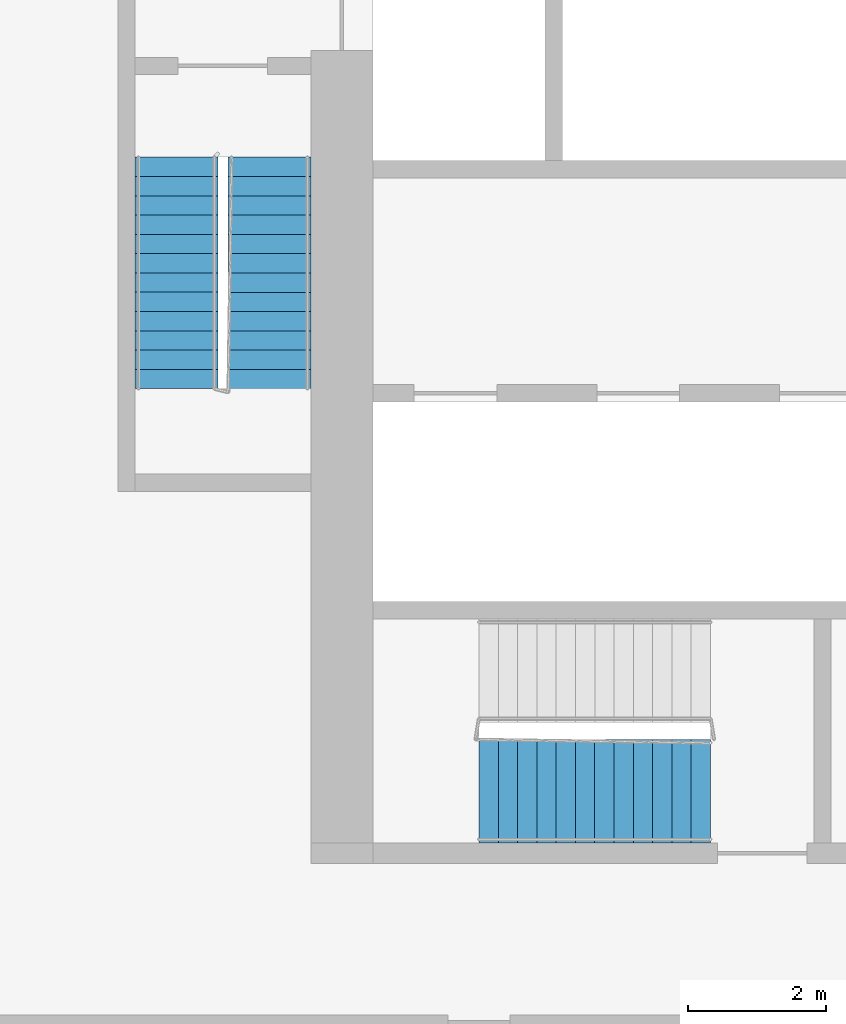
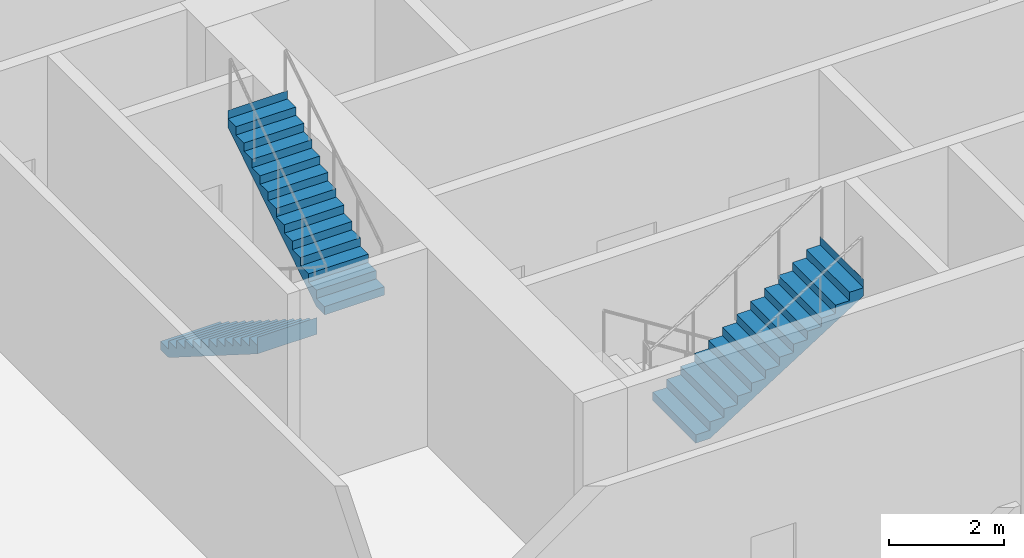
# One storey, part 17 of 22: 3 stair flights, 2 elements without a shape of their own.
"""IFC4 building model written with IfcOpenShell, lengths in metres."""

from ifc_helpers import new_model, si_unit, direction, frame, origin, place, context, subcontext, project, spatial, faceted_brep, material, type_object, element, aggregate, save


model = new_model("IFC4")

# Units and contexts
model_context = context("Model", 3, precision=1e-05, world=origin(), true_north=direction((0.0, 1.0)))
body_context = subcontext(model_context, "Body", "Model", "MODEL_VIEW")
ifc_project = project(units=[si_unit("LENGTHUNIT", "METRE"), si_unit("AREAUNIT", "SQUARE_METRE"), si_unit("VOLUMEUNIT", "CUBIC_METRE"), si_unit("PLANEANGLEUNIT", "RADIAN"), si_unit("MASSUNIT", "GRAM", prefix="KILO")], contexts=[model_context])

# Site, building, storey
site_placement = place(None, origin())
site = spatial("IfcSite", under=ifc_project, at=site_placement, CompositionType="ELEMENT")
building_placement = place(site_placement, origin())
building = spatial("IfcBuilding", under=site, at=building_placement, Name="Kajstack Hotel Tower", CompositionType="ELEMENT")
storey_placement = place(building_placement, frame((0.0, 0.0, 99.60009765625)))
storey = spatial("IfcBuildingStorey", under=building, at=storey_placement, Name="L21", CompositionType="ELEMENT", Elevation=99.60009765625)

# Stair, stair flights
ifc_material = material(Name="Concrete C40/50", Category="concrete")
stair_type_1 = type_object("IfcStairType", Name="Exit stair 1200", PredefinedType="HALF_TURN_STAIR", material=ifc_material)
stair_1_placement = place(storey_placement, origin())
stair_1 = element("IfcStair", 1, at=stair_1_placement, inside=storey, type_object=stair_type_1, Name="L21 stair W1", PredefinedType="HALF_TURN_STAIR")
stair_flight_type_1 = type_object("IfcStairFlightType", Name="Exit stair flight 1200", PredefinedType="STRAIGHT", material=ifc_material)
stair_flight_1_placement = place(storey_placement, frame((-33.449951171875, -5.25, 0.0), z_axis=(0.0, 0.0, 1.0), x_axis=(0.0, -1.0, 0.0)))
stair_flight_1 = element("IfcStairFlight", 2, at=stair_flight_1_placement, type_object=stair_flight_type_1, Name="W1 flight 1", NumberOfRisers=13, NumberOfTreads=12, PredefinedType="STRAIGHT", RiserHeight=0.176923077, TreadLength=0.28, context=body_context, shape_type="Brep", body=[
    faceted_brep([(0.281005859375, -0.60009765625, 0.0), (3.360595703125, -0.60009765625, 1.94580078125), (3.360595703125, -0.60009765625, 2.300048828125), (3.360107421875, -0.60009765625, 2.300048828125), (3.360107421875, -0.60009765625, 2.123046875), (3.080078125, -0.60009765625, 2.123046875), (3.080078125, -0.60009765625, 1.946044921875), (2.800048828125, -0.60009765625, 1.946044921875), (2.800048828125, -0.60009765625, 1.769287109375), (2.52001953125, -0.60009765625, 1.769287109375), (2.52001953125, -0.60009765625, 1.59228515625), (2.239990234375, -0.60009765625, 1.59228515625), (2.239990234375, -0.60009765625, 1.415283203125), (1.9599609375, -0.60009765625, 1.415283203125), (1.9599609375, -0.60009765625, 1.238525390625), (1.679931640625, -0.60009765625, 1.238525390625), (1.679931640625, -0.60009765625, 1.0615234375), (1.39990234375, -0.60009765625, 1.0615234375), (1.39990234375, -0.60009765625, 0.884521484375), (1.1201171875, -0.60009765625, 0.884521484375), (1.1201171875, -0.60009765625, 0.707763671875), (0.840087890625, -0.60009765625, 0.707763671875), (0.840087890625, -0.60009765625, 0.53076171875), (0.56005859375, -0.60009765625, 0.53076171875), (0.56005859375, -0.60009765625, 0.353759765625), (0.280029296875, -0.60009765625, 0.353759765625), (0.280029296875, -0.60009765625, 0.177001953125), (-0.00048828125, -0.60009765625, 0.177001953125), (-0.00048828125, -0.60009765625, 0.0), (-0.00048828125, 0.60009765625, 0.0), (-0.00048828125, 0.60009765625, 0.177001953125), (0.280029296875, 0.60009765625, 0.177001953125), (0.280029296875, 0.60009765625, 0.353759765625), (0.56005859375, 0.60009765625, 0.353759765625), (0.56005859375, 0.60009765625, 0.53076171875), (0.840087890625, 0.60009765625, 0.53076171875), (0.840087890625, 0.60009765625, 0.707763671875), (1.1201171875, 0.60009765625, 0.707763671875), (1.1201171875, 0.60009765625, 0.884521484375), (1.39990234375, 0.60009765625, 0.884521484375), (1.39990234375, 0.60009765625, 1.0615234375), (1.679931640625, 0.60009765625, 1.0615234375), (1.679931640625, 0.60009765625, 1.238525390625), (1.9599609375, 0.60009765625, 1.238525390625), (1.9599609375, 0.60009765625, 1.415283203125), (2.239990234375, 0.60009765625, 1.415283203125), (2.239990234375, 0.60009765625, 1.59228515625), (2.52001953125, 0.60009765625, 1.59228515625), (2.52001953125, 0.60009765625, 1.769287109375), (2.800048828125, 0.60009765625, 1.769287109375), (2.800048828125, 0.60009765625, 1.946044921875), (3.080078125, 0.60009765625, 1.946044921875), (3.080078125, 0.60009765625, 2.123046875), (3.360107421875, 0.60009765625, 2.123046875), (3.360107421875, 0.60009765625, 2.300048828125), (3.360595703125, 0.60009765625, 2.300048828125), (3.360595703125, 0.60009765625, 1.94580078125), (0.281005859375, 0.60009765625, 0.0), (-0.00048828125, -0.300048828125, 0.177001953125), (-0.00048828125, 0.0, 0.177001953125), (-0.00048828125, 0.300048828125, 0.177001953125), (-0.00048828125, 0.300048828125, 0.0), (-0.00048828125, 0.0, 0.0), (-0.00048828125, -0.300048828125, 0.0), (0.280029296875, -0.300048828125, 0.177001953125), (0.280029296875, 0.0, 0.177001953125), (0.280029296875, 0.300048828125, 0.177001953125), (0.280029296875, -0.300048828125, 0.353759765625), (0.280029296875, 0.0, 0.353759765625), (0.280029296875, 0.300048828125, 0.353759765625), (0.56005859375, -0.300048828125, 0.353759765625), (0.56005859375, 0.0, 0.353759765625), (0.56005859375, 0.300048828125, 0.353759765625), (0.56005859375, -0.300048828125, 0.53076171875), (0.56005859375, 0.0, 0.53076171875), (0.56005859375, 0.300048828125, 0.53076171875), (0.840087890625, -0.300048828125, 0.53076171875), (0.840087890625, 0.0, 0.53076171875), (0.840087890625, 0.300048828125, 0.53076171875), (0.840087890625, -0.300048828125, 0.707763671875), (0.840087890625, 0.0, 0.707763671875), (0.840087890625, 0.300048828125, 0.707763671875), (1.1201171875, -0.300048828125, 0.707763671875), (1.1201171875, 0.0, 0.707763671875), (1.1201171875, 0.300048828125, 0.707763671875), (1.1201171875, -0.300048828125, 0.884521484375), (1.1201171875, 0.0, 0.884521484375), (1.1201171875, 0.300048828125, 0.884521484375), (1.39990234375, -0.300048828125, 0.884521484375), (1.39990234375, 0.0, 0.884521484375), (1.39990234375, 0.300048828125, 0.884521484375), (1.39990234375, -0.300048828125, 1.0615234375), (1.39990234375, 0.0, 1.0615234375), (1.39990234375, 0.300048828125, 1.0615234375), (1.679931640625, -0.300048828125, 1.0615234375), (1.679931640625, 0.0, 1.0615234375), (1.679931640625, 0.300048828125, 1.0615234375), (1.679931640625, -0.300048828125, 1.238525390625), (1.679931640625, 0.0, 1.238525390625), (1.679931640625, 0.300048828125, 1.238525390625), (1.9599609375, -0.300048828125, 1.238525390625), (1.9599609375, 0.0, 1.238525390625), (1.9599609375, 0.300048828125, 1.238525390625), (1.9599609375, -0.300048828125, 1.415283203125), (1.9599609375, 0.0, 1.415283203125), (1.9599609375, 0.300048828125, 1.415283203125), (2.239990234375, -0.300048828125, 1.415283203125), (2.239990234375, 0.0, 1.415283203125), (2.239990234375, 0.300048828125, 1.415283203125), (2.239990234375, -0.300048828125, 1.59228515625), (2.239990234375, 0.0, 1.59228515625), (2.239990234375, 0.300048828125, 1.59228515625), (2.52001953125, -0.300048828125, 1.59228515625), (2.52001953125, 0.0, 1.59228515625), (2.52001953125, 0.300048828125, 1.59228515625), (2.52001953125, -0.300048828125, 1.769287109375), (2.52001953125, 0.0, 1.769287109375), (2.52001953125, 0.300048828125, 1.769287109375), (2.800048828125, -0.300048828125, 1.769287109375), (2.800048828125, 0.0, 1.769287109375), (2.800048828125, 0.300048828125, 1.769287109375), (2.800048828125, -0.300048828125, 1.946044921875), (2.800048828125, 0.0, 1.946044921875), (2.800048828125, 0.300048828125, 1.946044921875), (3.080078125, -0.300048828125, 1.946044921875), (3.080078125, 0.0, 1.946044921875), (3.080078125, 0.300048828125, 1.946044921875), (3.080078125, -0.300048828125, 2.123046875), (3.080078125, 0.0, 2.123046875), (3.080078125, 0.300048828125, 2.123046875), (3.360107421875, -0.300048828125, 2.123046875), (3.360107421875, 0.0, 2.123046875), (3.360107421875, 0.300048828125, 2.123046875), (3.360107421875, -0.300048828125, 2.300048828125), (3.360107421875, 0.0, 2.300048828125), (3.360107421875, 0.300048828125, 2.300048828125), (3.360595703125, -0.300048828125, 2.300048828125), (3.360595703125, 0.0, 2.300048828125), (3.360595703125, 0.300048828125, 2.300048828125), (3.360595703125, -0.300048828125, 1.94580078125), (3.360595703125, 0.0, 1.94580078125), (3.360595703125, 0.300048828125, 1.94580078125), (0.281005859375, -0.300048828125, 0.0), (0.281005859375, 0.0, 0.0), (0.281005859375, 0.300048828125, 0.0)], [[[0, 1, 2, 3, 4, 5, 6, 7, 8, 9, 10, 11, 12, 13, 14, 15, 16, 17, 18, 19, 20, 21, 22, 23, 24, 25, 26, 27, 28]], [[29, 30, 31, 32, 33, 34, 35, 36, 37, 38, 39, 40, 41, 42, 43, 44, 45, 46, 47, 48, 49, 50, 51, 52, 53, 54, 55, 56, 57]], [[27, 58, 59, 60, 30, 29, 61, 62, 63, 28]], [[26, 64, 65, 66, 31, 30, 60, 59, 58, 27]], [[25, 67, 68, 69, 32, 31, 66, 65, 64, 26]], [[24, 70, 71, 72, 33, 32, 69, 68, 67, 25]], [[23, 73, 74, 75, 34, 33, 72, 71, 70, 24]], [[22, 76, 77, 78, 35, 34, 75, 74, 73, 23]], [[21, 79, 80, 81, 36, 35, 78, 77, 76, 22]], [[20, 82, 83, 84, 37, 36, 81, 80, 79, 21]], [[19, 85, 86, 87, 38, 37, 84, 83, 82, 20]], [[18, 88, 89, 90, 39, 38, 87, 86, 85, 19]], [[17, 91, 92, 93, 40, 39, 90, 89, 88, 18]], [[16, 94, 95, 96, 41, 40, 93, 92, 91, 17]], [[15, 97, 98, 99, 42, 41, 96, 95, 94, 16]], [[14, 100, 101, 102, 43, 42, 99, 98, 97, 15]], [[13, 103, 104, 105, 44, 43, 102, 101, 100, 14]], [[12, 106, 107, 108, 45, 44, 105, 104, 103, 13]], [[11, 109, 110, 111, 46, 45, 108, 107, 106, 12]], [[10, 112, 113, 114, 47, 46, 111, 110, 109, 11]], [[9, 115, 116, 117, 48, 47, 114, 113, 112, 10]], [[8, 118, 119, 120, 49, 48, 117, 116, 115, 9]], [[7, 121, 122, 123, 50, 49, 120, 119, 118, 8]], [[6, 124, 125, 126, 51, 50, 123, 122, 121, 7]], [[5, 127, 128, 129, 52, 51, 126, 125, 124, 6]], [[4, 130, 131, 132, 53, 52, 129, 128, 127, 5]], [[3, 133, 134, 135, 54, 53, 132, 131, 130, 4]], [[2, 136, 137, 138, 55, 54, 135, 134, 133, 3]], [[1, 139, 140, 141, 56, 55, 138, 137, 136, 2]], [[0, 142, 143, 144, 57, 56, 141, 140, 139, 1]], [[28, 63, 62, 61, 29, 57, 144, 143, 142, 0]]]),
])
stair_flight_2_placement = place(storey_placement, frame((-32.10009765625, -8.610107421875, 2.2998046875), z_axis=(0.0, 0.0, 1.0), x_axis=(0.0, 1.0, 0.0)))
stair_flight_2 = element("IfcStairFlight", 3, at=stair_flight_2_placement, type_object=stair_flight_type_1, Name="W1 flight 2", NumberOfRisers=13, NumberOfTreads=12, PredefinedType="STRAIGHT", RiserHeight=0.176923077, TreadLength=0.28, context=body_context, shape_type="Brep", body=[
    faceted_brep([(0.281005859375, -0.60009765625, 0.0), (3.360595703125, -0.60009765625, 1.94580078125), (3.360595703125, -0.60009765625, 2.300048828125), (3.360107421875, -0.60009765625, 2.300048828125), (3.360107421875, -0.60009765625, 2.123046875), (3.080078125, -0.60009765625, 2.123046875), (3.080078125, -0.60009765625, 1.946044921875), (2.800048828125, -0.60009765625, 1.946044921875), (2.800048828125, -0.60009765625, 1.769287109375), (2.52001953125, -0.60009765625, 1.769287109375), (2.52001953125, -0.60009765625, 1.59228515625), (2.239990234375, -0.60009765625, 1.59228515625), (2.239990234375, -0.60009765625, 1.415283203125), (1.9599609375, -0.60009765625, 1.415283203125), (1.9599609375, -0.60009765625, 1.238525390625), (1.679931640625, -0.60009765625, 1.238525390625), (1.679931640625, -0.60009765625, 1.0615234375), (1.39990234375, -0.60009765625, 1.0615234375), (1.39990234375, -0.60009765625, 0.884521484375), (1.1201171875, -0.60009765625, 0.884521484375), (1.1201171875, -0.60009765625, 0.707763671875), (0.840087890625, -0.60009765625, 0.707763671875), (0.840087890625, -0.60009765625, 0.53076171875), (0.56005859375, -0.60009765625, 0.53076171875), (0.56005859375, -0.60009765625, 0.353759765625), (0.280029296875, -0.60009765625, 0.353759765625), (0.280029296875, -0.60009765625, 0.177001953125), (-0.00048828125, -0.60009765625, 0.177001953125), (-0.00048828125, -0.60009765625, 0.0), (-0.00048828125, 0.60009765625, 0.0), (-0.00048828125, 0.60009765625, 0.177001953125), (0.280029296875, 0.60009765625, 0.177001953125), (0.280029296875, 0.60009765625, 0.353759765625), (0.56005859375, 0.60009765625, 0.353759765625), (0.56005859375, 0.60009765625, 0.53076171875), (0.840087890625, 0.60009765625, 0.53076171875), (0.840087890625, 0.60009765625, 0.707763671875), (1.1201171875, 0.60009765625, 0.707763671875), (1.1201171875, 0.60009765625, 0.884521484375), (1.39990234375, 0.60009765625, 0.884521484375), (1.39990234375, 0.60009765625, 1.0615234375), (1.679931640625, 0.60009765625, 1.0615234375), (1.679931640625, 0.60009765625, 1.238525390625), (1.9599609375, 0.60009765625, 1.238525390625), (1.9599609375, 0.60009765625, 1.415283203125), (2.239990234375, 0.60009765625, 1.415283203125), (2.239990234375, 0.60009765625, 1.59228515625), (2.52001953125, 0.60009765625, 1.59228515625), (2.52001953125, 0.60009765625, 1.769287109375), (2.800048828125, 0.60009765625, 1.769287109375), (2.800048828125, 0.60009765625, 1.946044921875), (3.080078125, 0.60009765625, 1.946044921875), (3.080078125, 0.60009765625, 2.123046875), (3.360107421875, 0.60009765625, 2.123046875), (3.360107421875, 0.60009765625, 2.300048828125), (3.360595703125, 0.60009765625, 2.300048828125), (3.360595703125, 0.60009765625, 1.94580078125), (0.281005859375, 0.60009765625, 0.0), (-0.00048828125, -0.300048828125, 0.177001953125), (-0.00048828125, 0.0, 0.177001953125), (-0.00048828125, 0.300048828125, 0.177001953125), (-0.00048828125, 0.300048828125, 0.0), (-0.00048828125, 0.0, 0.0), (-0.00048828125, -0.300048828125, 0.0), (0.280029296875, -0.300048828125, 0.177001953125), (0.280029296875, 0.0, 0.177001953125), (0.280029296875, 0.300048828125, 0.177001953125), (0.280029296875, -0.300048828125, 0.353759765625), (0.280029296875, 0.0, 0.353759765625), (0.280029296875, 0.300048828125, 0.353759765625), (0.56005859375, -0.300048828125, 0.353759765625), (0.56005859375, 0.0, 0.353759765625), (0.56005859375, 0.300048828125, 0.353759765625), (0.56005859375, -0.300048828125, 0.53076171875), (0.56005859375, 0.0, 0.53076171875), (0.56005859375, 0.300048828125, 0.53076171875), (0.840087890625, -0.300048828125, 0.53076171875), (0.840087890625, 0.0, 0.53076171875), (0.840087890625, 0.300048828125, 0.53076171875), (0.840087890625, -0.300048828125, 0.707763671875), (0.840087890625, 0.0, 0.707763671875), (0.840087890625, 0.300048828125, 0.707763671875), (1.1201171875, -0.300048828125, 0.707763671875), (1.1201171875, 0.0, 0.707763671875), (1.1201171875, 0.300048828125, 0.707763671875), (1.1201171875, -0.300048828125, 0.884521484375), (1.1201171875, 0.0, 0.884521484375), (1.1201171875, 0.300048828125, 0.884521484375), (1.39990234375, -0.300048828125, 0.884521484375), (1.39990234375, 0.0, 0.884521484375), (1.39990234375, 0.300048828125, 0.884521484375), (1.39990234375, -0.300048828125, 1.0615234375), (1.39990234375, 0.0, 1.0615234375), (1.39990234375, 0.300048828125, 1.0615234375), (1.679931640625, -0.300048828125, 1.0615234375), (1.679931640625, 0.0, 1.0615234375), (1.679931640625, 0.300048828125, 1.0615234375), (1.679931640625, -0.300048828125, 1.238525390625), (1.679931640625, 0.0, 1.238525390625), (1.679931640625, 0.300048828125, 1.238525390625), (1.9599609375, -0.300048828125, 1.238525390625), (1.9599609375, 0.0, 1.238525390625), (1.9599609375, 0.300048828125, 1.238525390625), (1.9599609375, -0.300048828125, 1.415283203125), (1.9599609375, 0.0, 1.415283203125), (1.9599609375, 0.300048828125, 1.415283203125), (2.239990234375, -0.300048828125, 1.415283203125), (2.239990234375, 0.0, 1.415283203125), (2.239990234375, 0.300048828125, 1.415283203125), (2.239990234375, -0.300048828125, 1.59228515625), (2.239990234375, 0.0, 1.59228515625), (2.239990234375, 0.300048828125, 1.59228515625), (2.52001953125, -0.300048828125, 1.59228515625), (2.52001953125, 0.0, 1.59228515625), (2.52001953125, 0.300048828125, 1.59228515625), (2.52001953125, -0.300048828125, 1.769287109375), (2.52001953125, 0.0, 1.769287109375), (2.52001953125, 0.300048828125, 1.769287109375), (2.800048828125, -0.300048828125, 1.769287109375), (2.800048828125, 0.0, 1.769287109375), (2.800048828125, 0.300048828125, 1.769287109375), (2.800048828125, -0.300048828125, 1.946044921875), (2.800048828125, 0.0, 1.946044921875), (2.800048828125, 0.300048828125, 1.946044921875), (3.080078125, -0.300048828125, 1.946044921875), (3.080078125, 0.0, 1.946044921875), (3.080078125, 0.300048828125, 1.946044921875), (3.080078125, -0.300048828125, 2.123046875), (3.080078125, 0.0, 2.123046875), (3.080078125, 0.300048828125, 2.123046875), (3.360107421875, -0.300048828125, 2.123046875), (3.360107421875, 0.0, 2.123046875), (3.360107421875, 0.300048828125, 2.123046875), (3.360107421875, -0.300048828125, 2.300048828125), (3.360107421875, 0.0, 2.300048828125), (3.360107421875, 0.300048828125, 2.300048828125), (3.360595703125, -0.300048828125, 2.300048828125), (3.360595703125, 0.0, 2.300048828125), (3.360595703125, 0.300048828125, 2.300048828125), (3.360595703125, -0.300048828125, 1.94580078125), (3.360595703125, 0.0, 1.94580078125), (3.360595703125, 0.300048828125, 1.94580078125), (0.281005859375, -0.300048828125, 0.0), (0.281005859375, 0.0, 0.0), (0.281005859375, 0.300048828125, 0.0)], [[[0, 1, 2, 3, 4, 5, 6, 7, 8, 9, 10, 11, 12, 13, 14, 15, 16, 17, 18, 19, 20, 21, 22, 23, 24, 25, 26, 27, 28]], [[29, 30, 31, 32, 33, 34, 35, 36, 37, 38, 39, 40, 41, 42, 43, 44, 45, 46, 47, 48, 49, 50, 51, 52, 53, 54, 55, 56, 57]], [[27, 58, 59, 60, 30, 29, 61, 62, 63, 28]], [[26, 64, 65, 66, 31, 30, 60, 59, 58, 27]], [[25, 67, 68, 69, 32, 31, 66, 65, 64, 26]], [[24, 70, 71, 72, 33, 32, 69, 68, 67, 25]], [[23, 73, 74, 75, 34, 33, 72, 71, 70, 24]], [[22, 76, 77, 78, 35, 34, 75, 74, 73, 23]], [[21, 79, 80, 81, 36, 35, 78, 77, 76, 22]], [[20, 82, 83, 84, 37, 36, 81, 80, 79, 21]], [[19, 85, 86, 87, 38, 37, 84, 83, 82, 20]], [[18, 88, 89, 90, 39, 38, 87, 86, 85, 19]], [[17, 91, 92, 93, 40, 39, 90, 89, 88, 18]], [[16, 94, 95, 96, 41, 40, 93, 92, 91, 17]], [[15, 97, 98, 99, 42, 41, 96, 95, 94, 16]], [[14, 100, 101, 102, 43, 42, 99, 98, 97, 15]], [[13, 103, 104, 105, 44, 43, 102, 101, 100, 14]], [[12, 106, 107, 108, 45, 44, 105, 104, 103, 13]], [[11, 109, 110, 111, 46, 45, 108, 107, 106, 12]], [[10, 112, 113, 114, 47, 46, 111, 110, 109, 11]], [[9, 115, 116, 117, 48, 47, 114, 113, 112, 10]], [[8, 118, 119, 120, 49, 48, 117, 116, 115, 9]], [[7, 121, 122, 123, 50, 49, 120, 119, 118, 8]], [[6, 124, 125, 126, 51, 50, 123, 122, 121, 7]], [[5, 127, 128, 129, 52, 51, 126, 125, 124, 6]], [[4, 130, 131, 132, 53, 52, 129, 128, 127, 5]], [[3, 133, 134, 135, 54, 53, 132, 131, 130, 4]], [[2, 136, 137, 138, 55, 54, 135, 134, 133, 3]], [[1, 139, 140, 141, 56, 55, 138, 137, 136, 2]], [[0, 142, 143, 144, 57, 56, 141, 140, 139, 1]], [[28, 63, 62, 61, 29, 57, 144, 143, 142, 0]]]),
])
aggregate(stair_1, [stair_flight_1, stair_flight_2])

# Stair, stair flight
stair_type_2 = type_object("IfcStairType", Name="Exit stair 1500", PredefinedType="HALF_TURN_STAIR", material=ifc_material)
stair_2_placement = place(storey_placement, origin())
stair_2 = element("IfcStair", 4, at=stair_2_placement, inside=storey, type_object=stair_type_2, Name="L21 stair W3", PredefinedType="HALF_TURN_STAIR")
stair_flight_type_2 = type_object("IfcStairFlightType", Name="Exit stair flight 1500", PredefinedType="STRAIGHT", material=ifc_material)
stair_flight_3_placement = place(storey_placement, frame((-29.06005859375, -14.449951171875, 2.2998046875), z_axis=(0.0, 0.0, 1.0), x_axis=(1.0, 0.0, 0.0)))
stair_flight_3 = element("IfcStairFlight", 5, at=stair_flight_3_placement, type_object=stair_flight_type_2, Name="W3 flight 2", NumberOfRisers=13, NumberOfTreads=12, PredefinedType="STRAIGHT", RiserHeight=0.176923077, TreadLength=0.28, context=body_context, shape_type="Brep", body=[
    faceted_brep([(0.281005859375, -0.75, 0.0), (3.360595703125, -0.75, 1.94580078125), (3.360595703125, -0.75, 2.300048828125), (3.360107421875, -0.75, 2.300048828125), (3.360107421875, -0.75, 2.123046875), (3.080078125, -0.75, 2.123046875), (3.080078125, -0.75, 1.946044921875), (2.800048828125, -0.75, 1.946044921875), (2.800048828125, -0.75, 1.769287109375), (2.52001953125, -0.75, 1.769287109375), (2.52001953125, -0.75, 1.59228515625), (2.239990234375, -0.75, 1.59228515625), (2.239990234375, -0.75, 1.415283203125), (1.9599609375, -0.75, 1.415283203125), (1.9599609375, -0.75, 1.238525390625), (1.679931640625, -0.75, 1.238525390625), (1.679931640625, -0.75, 1.0615234375), (1.39990234375, -0.75, 1.0615234375), (1.39990234375, -0.75, 0.884521484375), (1.1201171875, -0.75, 0.884521484375), (1.1201171875, -0.75, 0.707763671875), (0.840087890625, -0.75, 0.707763671875), (0.840087890625, -0.75, 0.53076171875), (0.56005859375, -0.75, 0.53076171875), (0.56005859375, -0.75, 0.353759765625), (0.280029296875, -0.75, 0.353759765625), (0.280029296875, -0.75, 0.177001953125), (-0.00048828125, -0.75, 0.177001953125), (-0.00048828125, -0.75, 0.0), (-0.00048828125, 0.75, 0.0), (-0.00048828125, 0.75, 0.177001953125), (0.280029296875, 0.75, 0.177001953125), (0.280029296875, 0.75, 0.353759765625), (0.56005859375, 0.75, 0.353759765625), (0.56005859375, 0.75, 0.53076171875), (0.840087890625, 0.75, 0.53076171875), (0.840087890625, 0.75, 0.707763671875), (1.1201171875, 0.75, 0.707763671875), (1.1201171875, 0.75, 0.884521484375), (1.39990234375, 0.75, 0.884521484375), (1.39990234375, 0.75, 1.0615234375), (1.679931640625, 0.75, 1.0615234375), (1.679931640625, 0.75, 1.238525390625), (1.9599609375, 0.75, 1.238525390625), (1.9599609375, 0.75, 1.415283203125), (2.239990234375, 0.75, 1.415283203125), (2.239990234375, 0.75, 1.59228515625), (2.52001953125, 0.75, 1.59228515625), (2.52001953125, 0.75, 1.769287109375), (2.800048828125, 0.75, 1.769287109375), (2.800048828125, 0.75, 1.946044921875), (3.080078125, 0.75, 1.946044921875), (3.080078125, 0.75, 2.123046875), (3.360107421875, 0.75, 2.123046875), (3.360107421875, 0.75, 2.300048828125), (3.360595703125, 0.75, 2.300048828125), (3.360595703125, 0.75, 1.94580078125), (0.281005859375, 0.75, 0.0), (-0.00048828125, -0.375, 0.177001953125), (-0.00048828125, 0.0, 0.177001953125), (-0.00048828125, 0.375, 0.177001953125), (-0.00048828125, 0.375, 0.0), (-0.00048828125, 0.0, 0.0), (-0.00048828125, -0.375, 0.0), (0.280029296875, -0.375, 0.177001953125), (0.280029296875, 0.0, 0.177001953125), (0.280029296875, 0.375, 0.177001953125), (0.280029296875, -0.375, 0.353759765625), (0.280029296875, 0.0, 0.353759765625), (0.280029296875, 0.375, 0.353759765625), (0.56005859375, -0.375, 0.353759765625), (0.56005859375, 0.0, 0.353759765625), (0.56005859375, 0.375, 0.353759765625), (0.56005859375, -0.375, 0.53076171875), (0.56005859375, 0.0, 0.53076171875), (0.56005859375, 0.375, 0.53076171875), (0.840087890625, -0.375, 0.53076171875), (0.840087890625, 0.0, 0.53076171875), (0.840087890625, 0.375, 0.53076171875), (0.840087890625, -0.375, 0.707763671875), (0.840087890625, 0.0, 0.707763671875), (0.840087890625, 0.375, 0.707763671875), (1.1201171875, -0.375, 0.707763671875), (1.1201171875, 0.0, 0.707763671875), (1.1201171875, 0.375, 0.707763671875), (1.1201171875, -0.375, 0.884521484375), (1.1201171875, 0.0, 0.884521484375), (1.1201171875, 0.375, 0.884521484375), (1.39990234375, -0.375, 0.884521484375), (1.39990234375, 0.0, 0.884521484375), (1.39990234375, 0.375, 0.884521484375), (1.39990234375, -0.375, 1.0615234375), (1.39990234375, 0.0, 1.0615234375), (1.39990234375, 0.375, 1.0615234375), (1.679931640625, -0.375, 1.0615234375), (1.679931640625, 0.0, 1.0615234375), (1.679931640625, 0.375, 1.0615234375), (1.679931640625, -0.375, 1.238525390625), (1.679931640625, 0.0, 1.238525390625), (1.679931640625, 0.375, 1.238525390625), (1.9599609375, -0.375, 1.238525390625), (1.9599609375, 0.0, 1.238525390625), (1.9599609375, 0.375, 1.238525390625), (1.9599609375, -0.375, 1.415283203125), (1.9599609375, 0.0, 1.415283203125), (1.9599609375, 0.375, 1.415283203125), (2.239990234375, -0.375, 1.415283203125), (2.239990234375, 0.0, 1.415283203125), (2.239990234375, 0.375, 1.415283203125), (2.239990234375, -0.375, 1.59228515625), (2.239990234375, 0.0, 1.59228515625), (2.239990234375, 0.375, 1.59228515625), (2.52001953125, -0.375, 1.59228515625), (2.52001953125, 0.0, 1.59228515625), (2.52001953125, 0.375, 1.59228515625), (2.52001953125, -0.375, 1.769287109375), (2.52001953125, 0.0, 1.769287109375), (2.52001953125, 0.375, 1.769287109375), (2.800048828125, -0.375, 1.769287109375), (2.800048828125, 0.0, 1.769287109375), (2.800048828125, 0.375, 1.769287109375), (2.800048828125, -0.375, 1.946044921875), (2.800048828125, 0.0, 1.946044921875), (2.800048828125, 0.375, 1.946044921875), (3.080078125, -0.375, 1.946044921875), (3.080078125, 0.0, 1.946044921875), (3.080078125, 0.375, 1.946044921875), (3.080078125, -0.375, 2.123046875), (3.080078125, 0.0, 2.123046875), (3.080078125, 0.375, 2.123046875), (3.360107421875, -0.375, 2.123046875), (3.360107421875, 0.0, 2.123046875), (3.360107421875, 0.375, 2.123046875), (3.360107421875, -0.375, 2.300048828125), (3.360107421875, 0.0, 2.300048828125), (3.360107421875, 0.375, 2.300048828125), (3.360595703125, -0.375, 2.300048828125), (3.360595703125, 0.0, 2.300048828125), (3.360595703125, 0.375, 2.300048828125), (3.360595703125, -0.375, 1.94580078125), (3.360595703125, 0.0, 1.94580078125), (3.360595703125, 0.375, 1.94580078125), (0.281005859375, -0.375, 0.0), (0.281005859375, 0.0, 0.0), (0.281005859375, 0.375, 0.0)], [[[0, 1, 2, 3, 4, 5, 6, 7, 8, 9, 10, 11, 12, 13, 14, 15, 16, 17, 18, 19, 20, 21, 22, 23, 24, 25, 26, 27, 28]], [[29, 30, 31, 32, 33, 34, 35, 36, 37, 38, 39, 40, 41, 42, 43, 44, 45, 46, 47, 48, 49, 50, 51, 52, 53, 54, 55, 56, 57]], [[27, 58, 59, 60, 30, 29, 61, 62, 63, 28]], [[26, 64, 65, 66, 31, 30, 60, 59, 58, 27]], [[25, 67, 68, 69, 32, 31, 66, 65, 64, 26]], [[24, 70, 71, 72, 33, 32, 69, 68, 67, 25]], [[23, 73, 74, 75, 34, 33, 72, 71, 70, 24]], [[22, 76, 77, 78, 35, 34, 75, 74, 73, 23]], [[21, 79, 80, 81, 36, 35, 78, 77, 76, 22]], [[20, 82, 83, 84, 37, 36, 81, 80, 79, 21]], [[19, 85, 86, 87, 38, 37, 84, 83, 82, 20]], [[18, 88, 89, 90, 39, 38, 87, 86, 85, 19]], [[17, 91, 92, 93, 40, 39, 90, 89, 88, 18]], [[16, 94, 95, 96, 41, 40, 93, 92, 91, 17]], [[15, 97, 98, 99, 42, 41, 96, 95, 94, 16]], [[14, 100, 101, 102, 43, 42, 99, 98, 97, 15]], [[13, 103, 104, 105, 44, 43, 102, 101, 100, 14]], [[12, 106, 107, 108, 45, 44, 105, 104, 103, 13]], [[11, 109, 110, 111, 46, 45, 108, 107, 106, 12]], [[10, 112, 113, 114, 47, 46, 111, 110, 109, 11]], [[9, 115, 116, 117, 48, 47, 114, 113, 112, 10]], [[8, 118, 119, 120, 49, 48, 117, 116, 115, 9]], [[7, 121, 122, 123, 50, 49, 120, 119, 118, 8]], [[6, 124, 125, 126, 51, 50, 123, 122, 121, 7]], [[5, 127, 128, 129, 52, 51, 126, 125, 124, 6]], [[4, 130, 131, 132, 53, 52, 129, 128, 127, 5]], [[3, 133, 134, 135, 54, 53, 132, 131, 130, 4]], [[2, 136, 137, 138, 55, 54, 135, 134, 133, 3]], [[1, 139, 140, 141, 56, 55, 138, 137, 136, 2]], [[0, 142, 143, 144, 57, 56, 141, 140, 139, 1]], [[28, 63, 62, 61, 29, 57, 144, 143, 142, 0]]]),
])
aggregate(stair_2, [stair_flight_3])

save(model, "model.ifc")
